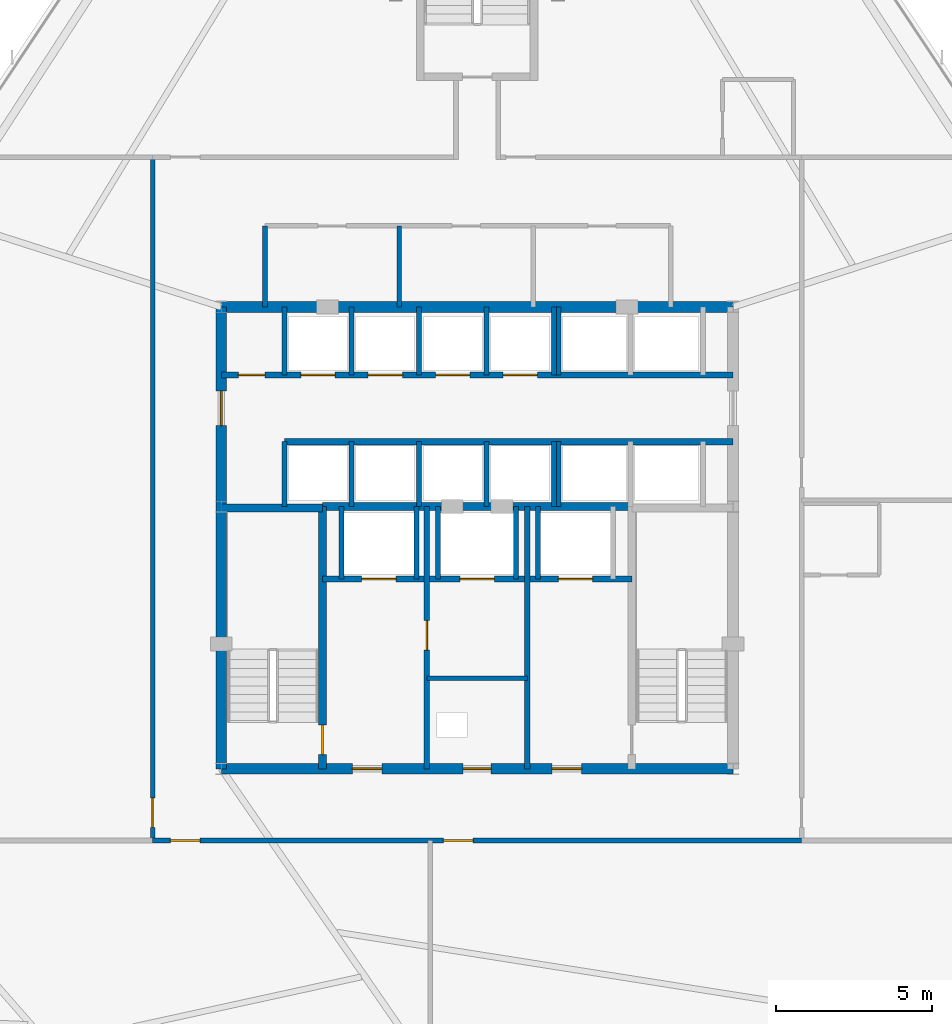
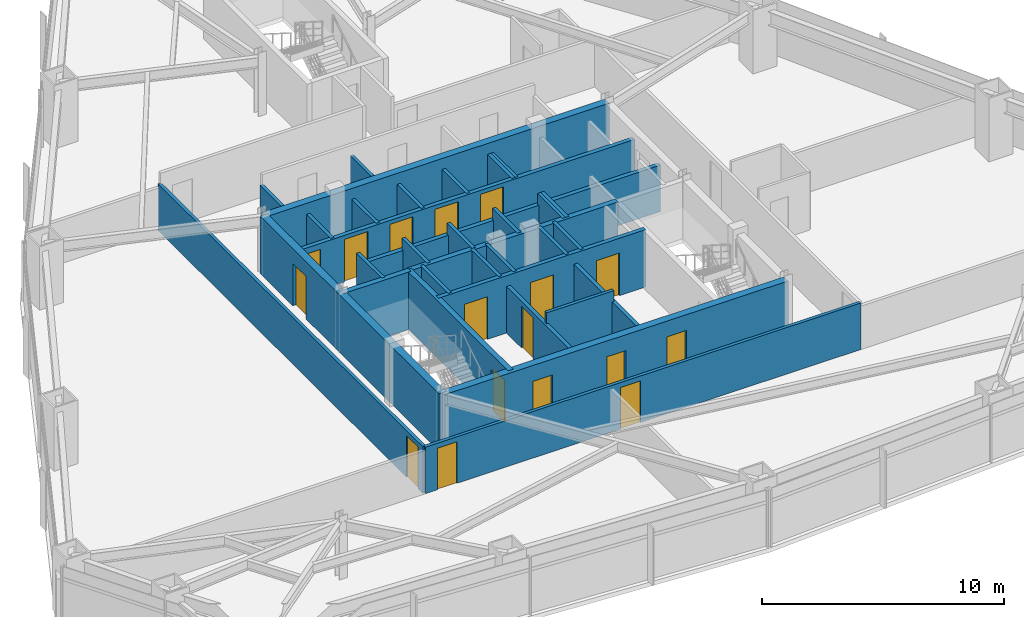
# One storey, part 9 of 12: 33 walls, 17 doors, 17 openings.
"""IFC4 building model written with IfcOpenShell, lengths in metres."""

from ifc_helpers import new_model, si_unit, direction, frame, frame_2d, origin, place, context, subcontext, project, spatial, rectangle, extrude, material, layer, layer_set, type_object, element, fill, save


model = new_model("IFC4")

# Units and contexts
model_context = context("Model", 3, precision=1e-05, world=origin(), true_north=direction((0.0, 1.0)))
body_context = subcontext(model_context, "Body", "Model", "MODEL_VIEW")
ifc_project = project(units=[si_unit("LENGTHUNIT", "METRE"), si_unit("AREAUNIT", "SQUARE_METRE"), si_unit("VOLUMEUNIT", "CUBIC_METRE"), si_unit("PLANEANGLEUNIT", "RADIAN"), si_unit("MASSUNIT", "GRAM", prefix="KILO")], contexts=[model_context])

# Site, building, storey
site_placement = place(None, origin())
site = spatial("IfcSite", under=ifc_project, at=site_placement, CompositionType="ELEMENT")
building_placement = place(site_placement, origin())
building = spatial("IfcBuilding", under=site, at=building_placement, Name="Varakhsha Concourse Tower", CompositionType="ELEMENT")
storey_placement = place(building_placement, frame((0.0, 0.0, 65.60009765625)))
storey = spatial("IfcBuildingStorey", under=building, at=storey_placement, Name="L18", CompositionType="ELEMENT", Elevation=65.60009765625)

# Wall, openings, doors
ifc_material_1 = material(Name="Concrete fc 65 MPa", Category="concrete")
ifc_layer_1 = layer(ifc_material_1, 0.35009765625, Name="WL-CORE-350")
ifc_layer_set_1 = layer_set([ifc_layer_1], Name="Concrete fc 65 MPa")
wall_type_1 = type_object("IfcWallType", Name="WL-CORE-350", PredefinedType="SHEAR", material=ifc_layer_set_1)
wall_1_placement = place(storey_placement, frame((31.800048828125, 16.39990234375, 0.0), z_axis=(0.0, 0.0, 1.0), x_axis=(1.0, 0.0, 0.0)))
wall_1 = element("IfcWall", 1, at=wall_1_placement, inside=storey, type_object=wall_type_1, Name="L18 Wall CWALL-S-L18", PredefinedType="SHEAR", context=body_context, shape_type="SweptSolid", body=[
    extrude(rectangle(XDim=16.39990234375, YDim=0.35009765625, at=frame_2d((8.199951171875, 0.0))), origin(), (0.0, 0.0, 1.0), 2.89990234375),
])
opening_1_placement = place(wall_1_placement, frame((7.75, 0.0, 0.0)))
opening_1 = element("IfcOpeningElement", 2, at=opening_1_placement, cuts=wall_1, Name="Opening DF-06", PredefinedType="OPENING", context=body_context, shape_type="SweptSolid", body=[
    extrude(rectangle(XDim=0.89990234375, YDim=2.10009765625, at=frame_2d((0.449951171875, 1.050048828125))), frame((0.0, 0.18505859375, 0.0), z_axis=(0.0, -1.0, 0.0), x_axis=(1.0, 0.0, 0.0)), (0.0, 0.0, 1.0), 0.3701171875),
])
opening_2_placement = place(wall_1_placement, frame((4.199951171875, 0.0, 0.0)))
opening_2 = element("IfcOpeningElement", 3, at=opening_2_placement, cuts=wall_1, Name="Opening DF-05", PredefinedType="OPENING", context=body_context, shape_type="SweptSolid", body=[
    extrude(rectangle(XDim=0.949951171875, YDim=2.10009765625, at=frame_2d((0.47509765625, 1.050048828125))), frame((0.0, 0.18505859375, 0.0), z_axis=(0.0, -1.0, 0.0), x_axis=(1.0, 0.0, 0.0)), (0.0, 0.0, 1.0), 0.3701171875),
])
opening_3_placement = place(wall_1_placement, frame((10.60009765625, 0.0, 0.0)))
opening_3 = element("IfcOpeningElement", 4, at=opening_3_placement, cuts=wall_1, Name="Opening DF-05", PredefinedType="OPENING", context=body_context, shape_type="SweptSolid", body=[
    extrude(rectangle(XDim=0.949951171875, YDim=2.10009765625, at=frame_2d((0.47509765625, 1.050048828125))), frame((0.0, 0.18505859375, 0.0), z_axis=(0.0, -1.0, 0.0), x_axis=(1.0, 0.0, 0.0)), (0.0, 0.0, 1.0), 0.3701171875),
])
ifc_material_2 = material(Name="Hollow Galvanised Steel Fire Door Assembly", Category="steel")
door_type_1 = type_object("IfcDoorType", Name="DR-FD60-900", OperationType="NOTDEFINED", PredefinedType="DOOR", material=ifc_material_2)
door_1_placement = place(opening_1_placement, origin())
door_1 = element("IfcDoor", 5, at=door_1_placement, inside=storey, type_object=door_type_1, Name="L18 Electrical Riser Access Door", OperationType="SINGLE_SWING_LEFT", OverallHeight=2.10009765625, OverallWidth=0.89990234375, PredefinedType="DOOR", context=body_context, shape_type="SweptSolid", body=[
    extrude(rectangle(XDim=0.89990234375, YDim=2.10009765625, at=frame_2d((0.449951171875, 1.050048828125))), frame((0.0, 0.02490234375, 0.0), z_axis=(0.0, -1.0, 0.0), x_axis=(1.0, 0.0, 0.0)), (0.0, 0.0, 1.0), 0.050048828125),
])
fill(opening_1, door_1)
door_type_2 = type_object("IfcDoorType", Name="DR-FD60-950", OperationType="NOTDEFINED", PredefinedType="DOOR", material=ifc_material_2)
door_2_placement = place(opening_2_placement, origin())
door_2 = element("IfcDoor", 6, at=door_2_placement, inside=storey, type_object=door_type_2, Name="L18 Firefighting Lobby West Door", OperationType="SINGLE_SWING_RIGHT", OverallHeight=2.10009765625, OverallWidth=0.949951171875, PredefinedType="DOOR", context=body_context, shape_type="SweptSolid", body=[
    extrude(rectangle(XDim=0.949951171875, YDim=2.10009765625, at=frame_2d((0.47509765625, 1.050048828125))), frame((0.0, 0.02490234375, 0.0), z_axis=(0.0, -1.0, 0.0), x_axis=(1.0, 0.0, 0.0)), (0.0, 0.0, 1.0), 0.050048828125),
])
fill(opening_2, door_2)
door_3_placement = place(opening_3_placement, origin())
door_3 = element("IfcDoor", 7, at=door_3_placement, inside=storey, type_object=door_type_2, Name="L18 Firefighting Lobby East Door", OperationType="SINGLE_SWING_LEFT", OverallHeight=2.10009765625, OverallWidth=0.949951171875, PredefinedType="DOOR", context=body_context, shape_type="SweptSolid", body=[
    extrude(rectangle(XDim=0.949951171875, YDim=2.10009765625, at=frame_2d((0.47509765625, 1.050048828125))), frame((0.0, 0.02490234375, 0.0), z_axis=(0.0, -1.0, 0.0), x_axis=(1.0, 0.0, 0.0)), (0.0, 0.0, 1.0), 0.050048828125),
])
fill(opening_3, door_3)

# Wall
wall_2_placement = place(storey_placement, frame((31.800048828125, 31.199951171875, 0.0), z_axis=(0.0, 0.0, 1.0), x_axis=(1.0, 0.0, 0.0)))
element("IfcWall", 8, at=wall_2_placement, inside=storey, type_object=wall_type_1, Name="L18 Wall CWALL-N-L18", PredefinedType="SHEAR", context=body_context, shape_type="SweptSolid", body=[
    extrude(rectangle(XDim=16.39990234375, YDim=0.35009765625, at=frame_2d((8.199951171875, 0.0))), origin(), (0.0, 0.0, 1.0), 2.89990234375),
])

# Wall, opening, door
wall_3_placement = place(storey_placement, frame((31.800048828125, 16.39990234375, 0.0), z_axis=(0.0, 0.0, 1.0), x_axis=(0.0, 1.0, 0.0)))
wall_3 = element("IfcWall", 9, at=wall_3_placement, inside=storey, type_object=wall_type_1, Name="L18 Wall CWALL-W-L18", PredefinedType="SHEAR", context=body_context, shape_type="SweptSolid", body=[
    extrude(rectangle(XDim=14.800048828125, YDim=0.35009765625, at=frame_2d((7.39990234375, 0.0))), origin(), (0.0, 0.0, 1.0), 2.89990234375),
])
opening_4_placement = place(wall_3_placement, frame((11.0, 0.0, 0.0)))
opening_4 = element("IfcOpeningElement", 10, at=opening_4_placement, cuts=wall_3, Name="Opening DL-01", PredefinedType="OPENING", context=body_context, shape_type="SweptSolid", body=[
    extrude(rectangle(XDim=1.10009765625, YDim=2.14990234375, at=frame_2d((0.550048828125, 1.074951171875))), frame((0.0, 0.18505859375, 0.0), z_axis=(0.0, -1.0, 0.0), x_axis=(1.0, 0.0, 0.0)), (0.0, 0.0, 1.0), 0.3701171875),
])
ifc_material_3 = material(Name="Anodised Bronze Architectural Aluminium AA 6063-T6", Category="aluminium")
door_type_3 = type_object("IfcDoorType", Name="DR-LOB-1100", OperationType="NOTDEFINED", PredefinedType="DOOR", material=ifc_material_3)
door_4_placement = place(opening_4_placement, origin())
door_4 = element("IfcDoor", 11, at=door_4_placement, inside=storey, type_object=door_type_3, Name="L18 Lift Lobby West Concourse Door", OperationType="SINGLE_SWING_LEFT", OverallHeight=2.14990234375, OverallWidth=1.10009765625, PredefinedType="DOOR", context=body_context, shape_type="SweptSolid", body=[
    extrude(rectangle(XDim=1.10009765625, YDim=2.14990234375, at=frame_2d((0.550048828125, 1.074951171875))), frame((0.0, 0.02490234375, 0.0), z_axis=(0.0, -1.0, 0.0), x_axis=(1.0, 0.0, 0.0)), (0.0, 0.0, 1.0), 0.050048828125),
])
fill(opening_4, door_4)

ifc_material_4 = material(Name="Fire-Rated Type X Gypsum Partition Assembly", Category="gypsum")
ifc_layer_2 = layer(ifc_material_4, 0.179931640625, Name="WL-FFLOB-180")
ifc_layer_set_2 = layer_set([ifc_layer_2], Name="Fire-Rated Type X Gypsum Partition Assembly")
wall_type_2 = type_object("IfcWallType", Name="WL-FFLOB-180", PredefinedType="PARTITIONING", material=ifc_layer_set_2)
wall_4_placement = place(storey_placement, frame((38.389892578125, 16.39990234375, 0.0), z_axis=(0.0, 0.0, 1.0), x_axis=(0.0, 1.0, 0.0)))
wall_4 = element("IfcWall", 12, at=wall_4_placement, inside=storey, type_object=wall_type_2, Name="L18 Wall FFW-1E-L18", PredefinedType="PARTITIONING", context=body_context, shape_type="SweptSolid", body=[
    extrude(rectangle(XDim=8.400146484375, YDim=0.179931640625, at=frame_2d((4.2001953125, 0.0))), origin(), (0.0, 0.0, 1.0), 2.350830078125),
])
opening_5_placement = place(wall_4_placement, frame((3.800048828125, 0.0, 0.0)))
opening_5 = element("IfcOpeningElement", 13, at=opening_5_placement, cuts=wall_4, Name="Opening DF-05", PredefinedType="OPENING", context=body_context, shape_type="SweptSolid", body=[
    extrude(rectangle(XDim=0.949951171875, YDim=2.10009765625, at=frame_2d((0.47509765625, 1.050048828125))), frame((0.0, 0.099853515625, 0.0), z_axis=(0.0, -1.0, 0.0), x_axis=(1.0, 0.0, 0.0)), (0.0, 0.0, 1.0), 0.199951171875),
])
door_5_placement = place(opening_5_placement, origin())
door_5 = element("IfcDoor", 14, at=door_5_placement, inside=storey, type_object=door_type_2, Name="L18 Service Vestibule Door", OperationType="SINGLE_SWING_RIGHT", OverallHeight=2.10009765625, OverallWidth=0.949951171875, PredefinedType="DOOR", context=body_context, shape_type="SweptSolid", body=[
    extrude(rectangle(XDim=0.949951171875, YDim=2.10009765625, at=frame_2d((0.47509765625, 1.050048828125))), frame((0.0, 0.02490234375, 0.0), z_axis=(0.0, -1.0, 0.0), x_axis=(1.0, 0.0, 0.0)), (0.0, 0.0, 1.0), 0.050048828125),
])
fill(opening_5, door_5)

# Walls
wall_5_placement = place(storey_placement, frame((41.610107421875, 16.39990234375, 0.0), z_axis=(0.0, 0.0, 1.0), x_axis=(0.0, 1.0, 0.0)))
element("IfcWall", 15, at=wall_5_placement, inside=storey, type_object=wall_type_2, Name="L18 Wall FFW-2W-L18", PredefinedType="PARTITIONING", context=body_context, shape_type="SweptSolid", body=[
    extrude(rectangle(XDim=8.400146484375, YDim=0.179931640625, at=frame_2d((4.2001953125, 0.0))), origin(), (0.0, 0.0, 1.0), 2.350830078125),
])
ifc_layer_3 = layer(ifc_material_4, 0.14990234375, Name="WL-PART-150")
ifc_layer_set_3 = layer_set([ifc_layer_3], Name="Fire-Rated Type X Gypsum Partition Assembly")
wall_type_3 = type_object("IfcWallType", Name="WL-PART-150", PredefinedType="PARTITIONING", material=ifc_layer_set_3)
wall_6_placement = place(storey_placement, frame((38.389892578125, 19.300048828125, 0.0), z_axis=(0.0, 0.0, 1.0), x_axis=(1.0, 0.0, 0.0)))
element("IfcWall", 16, at=wall_6_placement, inside=storey, type_object=wall_type_3, Name="L18 Wall RSW-H-L18", PredefinedType="PARTITIONING", context=body_context, shape_type="SweptSolid", body=[
    extrude(rectangle(XDim=3.22021484375, YDim=0.14990234375, at=frame_2d((1.610107421875, 0.0))), origin(), (0.0, 0.0, 1.0), 2.89990234375),
])
for number, where, z_axis, x_axis, name in (
    (17, (33.199951171875, 31.199951171875, 0.0), (0.0, 0.0, 1.0), (0.0, 1.0, 0.0), "L18 Wall NBOH-W-L18"),
    (18, (37.5, 31.199951171875, 0.0), (0.0, 0.0, 1.0), (0.0, 1.0, 0.0), "L18 Wall NBOH-D1-L18"),
):
    element("IfcWall", number, at=place(storey_placement, frame(where, z_axis=z_axis, x_axis=x_axis)), inside=storey, type_object=wall_type_3, Name=name, PredefinedType="PARTITIONING", context=body_context, shape_type="SweptSolid", body=[
        extrude(rectangle(XDim=2.60009765625, YDim=0.14990234375, at=frame_2d((1.300048828125, 0.0))), origin(), (0.0, 0.0, 1.0), 2.350830078125),
    ])

# Wall, openings, doors
wall_7_placement = place(storey_placement, frame((29.60009765625, 14.10009765625, 0.0), z_axis=(0.0, 0.0, 1.0), x_axis=(1.0, 0.0, 0.0)))
wall_7 = element("IfcWall", 19, at=wall_7_placement, inside=storey, type_object=wall_type_3, Name="L18 Wall CRW-S-L18", PredefinedType="PARTITIONING", context=body_context, shape_type="SweptSolid", body=[
    extrude(rectangle(XDim=20.7998046875, YDim=0.14990234375, at=frame_2d((10.39990234375, 0.0))), origin(), (0.0, 0.0, 1.0), 2.350830078125),
])
opening_6_placement = place(wall_7_placement, frame((0.570068359375, 0.0, 0.0)))
opening_6 = element("IfcOpeningElement", 20, at=opening_6_placement, cuts=wall_7, Name="Opening DF-05", PredefinedType="OPENING", context=body_context, shape_type="SweptSolid", body=[
    extrude(rectangle(XDim=0.949951171875, YDim=2.10009765625, at=frame_2d((0.47509765625, 1.050048828125))), frame((0.0, 0.0849609375, 0.0), z_axis=(0.0, -1.0, 0.0), x_axis=(1.0, 0.0, 0.0)), (0.0, 0.0, 1.0), 0.169921875),
])
opening_7_placement = place(wall_7_placement, frame((9.320068359375, 0.0, 0.0)))
opening_7 = element("IfcOpeningElement", 21, at=opening_7_placement, cuts=wall_7, Name="Opening DF-05", PredefinedType="OPENING", context=body_context, shape_type="SweptSolid", body=[
    extrude(rectangle(XDim=0.949951171875, YDim=2.10009765625, at=frame_2d((0.47509765625, 1.050048828125))), frame((0.0, 0.0849609375, 0.0), z_axis=(0.0, -1.0, 0.0), x_axis=(1.0, 0.0, 0.0)), (0.0, 0.0, 1.0), 0.169921875),
])
door_6_placement = place(opening_6_placement, origin())
door_6 = element("IfcDoor", 22, at=door_6_placement, inside=storey, type_object=door_type_2, Name="L18 Hotel Executive Salon L18-H01 Door", OperationType="SINGLE_SWING_LEFT", OverallHeight=2.10009765625, OverallWidth=0.949951171875, PredefinedType="DOOR", context=body_context, shape_type="SweptSolid", body=[
    extrude(rectangle(XDim=0.949951171875, YDim=2.10009765625, at=frame_2d((0.47509765625, 1.050048828125))), frame((0.0, 0.02490234375, 0.0), z_axis=(0.0, -1.0, 0.0), x_axis=(1.0, 0.0, 0.0)), (0.0, 0.0, 1.0), 0.050048828125),
])
fill(opening_6, door_6)
door_7_placement = place(opening_7_placement, origin())
door_7 = element("IfcDoor", 23, at=door_7_placement, inside=storey, type_object=door_type_2, Name="L18 Diplomatic Conservatory Salon L18-H02 Door", OperationType="SINGLE_SWING_RIGHT", OverallHeight=2.10009765625, OverallWidth=0.949951171875, PredefinedType="DOOR", context=body_context, shape_type="SweptSolid", body=[
    extrude(rectangle(XDim=0.949951171875, YDim=2.10009765625, at=frame_2d((0.47509765625, 1.050048828125))), frame((0.0, 0.02490234375, 0.0), z_axis=(0.0, -1.0, 0.0), x_axis=(1.0, 0.0, 0.0)), (0.0, 0.0, 1.0), 0.050048828125),
])
fill(opening_7, door_7)

# Wall, opening, door
wall_8_placement = place(storey_placement, frame((29.60009765625, 14.10009765625, 0.0), z_axis=(0.0, 0.0, 1.0), x_axis=(0.0, 1.0, 0.0)))
wall_8 = element("IfcWall", 24, at=wall_8_placement, inside=storey, type_object=wall_type_3, Name="L18 Wall CRW-W-L18", PredefinedType="PARTITIONING", context=body_context, shape_type="SweptSolid", body=[
    extrude(rectangle(XDim=21.89990234375, YDim=0.14990234375, at=frame_2d((10.949951171875, 0.0))), origin(), (0.0, 0.0, 1.0), 2.350830078125),
])
opening_8_placement = place(wall_8_placement, frame((0.419921875, 0.0, 0.0)))
opening_8 = element("IfcOpeningElement", 25, at=opening_8_placement, cuts=wall_8, Name="Opening DF-05", PredefinedType="OPENING", context=body_context, shape_type="SweptSolid", body=[
    extrude(rectangle(XDim=0.949951171875, YDim=2.10009765625, at=frame_2d((0.47509765625, 1.050048828125))), frame((0.0, 0.0849609375, 0.0), z_axis=(0.0, -1.0, 0.0), x_axis=(1.0, 0.0, 0.0)), (0.0, 0.0, 1.0), 0.169921875),
])
door_8_placement = place(opening_8_placement, origin())
door_8 = element("IfcDoor", 26, at=door_8_placement, inside=storey, type_object=door_type_2, Name="L18 Diplomatic Conservatory Salon L18-H03 Door", OperationType="SINGLE_SWING_LEFT", OverallHeight=2.10009765625, OverallWidth=0.949951171875, PredefinedType="DOOR", context=body_context, shape_type="SweptSolid", body=[
    extrude(rectangle(XDim=0.949951171875, YDim=2.10009765625, at=frame_2d((0.47509765625, 1.050048828125))), frame((0.0, 0.02490234375, 0.0), z_axis=(0.0, -1.0, 0.0), x_axis=(1.0, 0.0, 0.0)), (0.0, 0.0, 1.0), 0.050048828125),
])
fill(opening_8, door_8)

# Wall, openings, doors
ifc_layer_4 = layer(ifc_material_4, 0.199951171875, Name="WL-SHAFT-220")
ifc_layer_set_4 = layer_set([ifc_layer_4], Name="Fire-Rated Type X Gypsum Partition Assembly")
wall_type_4 = type_object("IfcWallType", Name="WL-SHAFT-220", PredefinedType="SOLIDWALL", material=ifc_layer_set_4)
wall_9_placement = place(storey_placement, frame((35.044921875, 22.47998046875, 0.0), z_axis=(0.0, 0.0, 1.0), x_axis=(1.0, 0.0, 0.0)))
wall_9 = element("IfcWall", 27, at=wall_9_placement, inside=storey, type_object=wall_type_4, Name="L18 Wall FFW-NH-L18", PredefinedType="SOLIDWALL", context=body_context, shape_type="SweptSolid", body=[
    extrude(rectangle(XDim=9.91015625, YDim=0.199951171875, at=frame_2d((4.955078125, 0.0))), origin(), (0.0, 0.0, 1.0), 2.89990234375),
])
opening_9_placement = place(wall_9_placement, frame((1.2548828125, 0.0, 0.0)))
opening_9 = element("IfcOpeningElement", 28, at=opening_9_placement, cuts=wall_9, Name="Opening LD-FFL-1", PredefinedType="OPENING", context=body_context, shape_type="SweptSolid", body=[
    extrude(rectangle(XDim=1.10009765625, YDim=2.14990234375, at=frame_2d((0.550048828125, 1.074951171875))), frame((0.0, 0.10986328125, 0.0), z_axis=(0.0, -1.0, 0.0), x_axis=(1.0, 0.0, 0.0)), (0.0, 0.0, 1.0), 0.219970703125),
])
opening_10_placement = place(wall_9_placement, frame((7.554931640625, 0.0, 0.0)))
opening_10 = element("IfcOpeningElement", 29, at=opening_10_placement, cuts=wall_9, Name="Opening LD-FFL-2", PredefinedType="OPENING", context=body_context, shape_type="SweptSolid", body=[
    extrude(rectangle(XDim=1.10009765625, YDim=2.14990234375, at=frame_2d((0.550048828125, 1.074951171875))), frame((0.0, 0.10986328125, 0.0), z_axis=(0.0, -1.0, 0.0), x_axis=(1.0, 0.0, 0.0)), (0.0, 0.0, 1.0), 0.219970703125),
])
opening_11_placement = place(wall_9_placement, frame((4.405029296875, 0.0, 0.0)))
opening_11 = element("IfcOpeningElement", 30, at=opening_11_placement, cuts=wall_9, Name="Opening LD-SVL-1", PredefinedType="OPENING", context=body_context, shape_type="SweptSolid", body=[
    extrude(rectangle(XDim=1.10009765625, YDim=2.14990234375, at=frame_2d((0.550048828125, 1.074951171875))), frame((0.0, 0.10986328125, 0.0), z_axis=(0.0, -1.0, 0.0), x_axis=(1.0, 0.0, 0.0)), (0.0, 0.0, 1.0), 0.219970703125),
])
ifc_material_5 = material(Name="Brushed Austenitic Stainless Steel AISI 316", Category="steel")
door_type_4 = type_object("IfcDoorType", Name="DR-LD-1100", OperationType="DOUBLE_DOOR_SLIDING", PredefinedType="DOOR", material=ifc_material_5)
door_9_placement = place(opening_9_placement, origin())
door_9 = element("IfcDoor", 31, at=door_9_placement, inside=storey, type_object=door_type_4, Name="Lift Landing Door FFL-1 L18", OperationType="DOUBLE_DOOR_SLIDING", OverallHeight=2.14990234375, OverallWidth=1.10009765625, PredefinedType="DOOR", context=body_context, shape_type="SweptSolid", body=[
    extrude(rectangle(XDim=1.10009765625, YDim=2.14990234375, at=frame_2d((0.550048828125, 1.074951171875))), frame((0.0, 0.02490234375, 0.0), z_axis=(0.0, -1.0, 0.0), x_axis=(1.0, 0.0, 0.0)), (0.0, 0.0, 1.0), 0.050048828125),
])
fill(opening_9, door_9)
door_10_placement = place(opening_10_placement, origin())
door_10 = element("IfcDoor", 32, at=door_10_placement, inside=storey, type_object=door_type_4, Name="Lift Landing Door FFL-2 L18", OperationType="DOUBLE_DOOR_SLIDING", OverallHeight=2.14990234375, OverallWidth=1.10009765625, PredefinedType="DOOR", context=body_context, shape_type="SweptSolid", body=[
    extrude(rectangle(XDim=1.10009765625, YDim=2.14990234375, at=frame_2d((0.550048828125, 1.074951171875))), frame((0.0, 0.02490234375, 0.0), z_axis=(0.0, -1.0, 0.0), x_axis=(1.0, 0.0, 0.0)), (0.0, 0.0, 1.0), 0.050048828125),
])
fill(opening_10, door_10)
door_11_placement = place(opening_11_placement, origin())
door_11 = element("IfcDoor", 33, at=door_11_placement, inside=storey, type_object=door_type_4, Name="Lift Landing Door SVL-1 L18", OperationType="DOUBLE_DOOR_SLIDING", OverallHeight=2.14990234375, OverallWidth=1.10009765625, PredefinedType="DOOR", context=body_context, shape_type="SweptSolid", body=[
    extrude(rectangle(XDim=1.10009765625, YDim=2.14990234375, at=frame_2d((0.550048828125, 1.074951171875))), frame((0.0, 0.02490234375, 0.0), z_axis=(0.0, -1.0, 0.0), x_axis=(1.0, 0.0, 0.0)), (0.0, 0.0, 1.0), 0.050048828125),
])
fill(opening_11, door_11)

# Walls
for number, where, z_axis, x_axis, name in (
    (34, (35.64990234375, 22.47998046875, 0.0), (0.0, 0.0, 1.0), (0.0, 1.0, 0.0), "L18 Wall SHW-FFL-1-W-L18"),
    (35, (38.050048828125, 22.47998046875, 0.0), (0.0, 0.0, 1.0), (0.0, 1.0, 0.0), "L18 Wall SHW-FFL-1-E-L18"),
    (36, (41.949951171875, 22.47998046875, 0.0), (0.0, 0.0, 1.0), (0.0, 1.0, 0.0), "L18 Wall SHW-FFL-2-W-L18"),
    (37, (38.75, 22.47998046875, 0.0), (0.0, 0.0, 1.0), (0.0, 1.0, 0.0), "L18 Wall SHW-SVL-1-W-L18"),
    (38, (41.25, 22.47998046875, 0.0), (0.0, 0.0, 1.0), (0.0, 1.0, 0.0), "L18 Wall SHW-SVL-1-E-L18"),
):
    element("IfcWall", number, at=place(storey_placement, frame(where, z_axis=z_axis, x_axis=x_axis)), inside=storey, type_object=wall_type_4, Name=name, PredefinedType="SOLIDWALL", context=body_context, shape_type="SweptSolid", body=[
        extrude(rectangle(XDim=2.320068359375, YDim=0.159912109375, at=frame_2d((1.16015625, 0.0))), origin(), (0.0, 0.0, 1.0), 2.89990234375),
    ])

# Wall, openings, doors
wall_10_placement = place(storey_placement, frame((31.800048828125, 29.02001953125, 0.0), z_axis=(0.0, 0.0, 1.0), x_axis=(1.0, 0.0, 0.0)))
wall_10 = element("IfcWall", 39, at=wall_10_placement, inside=storey, type_object=wall_type_4, Name="L18 Wall PLW-N-L18", PredefinedType="SOLIDWALL", context=body_context, shape_type="SweptSolid", body=[
    extrude(rectangle(XDim=16.39990234375, YDim=0.199951171875, at=frame_2d((8.199951171875, 0.0))), origin(), (0.0, 0.0, 1.0), 2.350830078125),
])
opening_12_placement = place(wall_10_placement, frame((0.550048828125, 0.0, 0.0)))
opening_12 = element("IfcOpeningElement", 40, at=opening_12_placement, cuts=wall_10, Name="Opening DF-07", PredefinedType="OPENING", context=body_context, shape_type="SweptSolid", body=[
    extrude(rectangle(XDim=0.85009765625, YDim=2.050048828125, at=frame_2d((0.425048828125, 1.02490234375))), frame((0.0, 0.10986328125, 0.0), z_axis=(0.0, -1.0, 0.0), x_axis=(1.0, 0.0, 0.0)), (0.0, 0.0, 1.0), 0.219970703125),
])
opening_13_placement = place(wall_10_placement, frame((2.550048828125, 0.0, 0.0)))
opening_13 = element("IfcOpeningElement", 41, at=opening_13_placement, cuts=wall_10, Name="Opening LD-LF-P01", PredefinedType="OPENING", context=body_context, shape_type="SweptSolid", body=[
    extrude(rectangle(XDim=1.10009765625, YDim=2.14990234375, at=frame_2d((0.550048828125, 1.074951171875))), frame((0.0, 0.10986328125, 0.0), z_axis=(0.0, -1.0, 0.0), x_axis=(1.0, 0.0, 0.0)), (0.0, 0.0, 1.0), 0.219970703125),
])
opening_14_placement = place(wall_10_placement, frame((4.7099609375, 0.0, 0.0)))
opening_14 = element("IfcOpeningElement", 42, at=opening_14_placement, cuts=wall_10, Name="Opening LD-LF-P02", PredefinedType="OPENING", context=body_context, shape_type="SweptSolid", body=[
    extrude(rectangle(XDim=1.10009765625, YDim=2.14990234375, at=frame_2d((0.550048828125, 1.074951171875))), frame((0.0, 0.10986328125, 0.0), z_axis=(0.0, -1.0, 0.0), x_axis=(1.0, 0.0, 0.0)), (0.0, 0.0, 1.0), 0.219970703125),
])
opening_15_placement = place(wall_10_placement, frame((6.8701171875, 0.0, 0.0)))
opening_15 = element("IfcOpeningElement", 43, at=opening_15_placement, cuts=wall_10, Name="Opening LD-LF-P03", PredefinedType="OPENING", context=body_context, shape_type="SweptSolid", body=[
    extrude(rectangle(XDim=1.10009765625, YDim=2.14990234375, at=frame_2d((0.550048828125, 1.074951171875))), frame((0.0, 0.10986328125, 0.0), z_axis=(0.0, -1.0, 0.0), x_axis=(1.0, 0.0, 0.0)), (0.0, 0.0, 1.0), 0.219970703125),
])
opening_16_placement = place(wall_10_placement, frame((9.030029296875, 0.0, 0.0)))
opening_16 = element("IfcOpeningElement", 44, at=opening_16_placement, cuts=wall_10, Name="Opening LD-LF-P04", PredefinedType="OPENING", context=body_context, shape_type="SweptSolid", body=[
    extrude(rectangle(XDim=1.10009765625, YDim=2.14990234375, at=frame_2d((0.550048828125, 1.074951171875))), frame((0.0, 0.10986328125, 0.0), z_axis=(0.0, -1.0, 0.0), x_axis=(1.0, 0.0, 0.0)), (0.0, 0.0, 1.0), 0.219970703125),
])
door_type_5 = type_object("IfcDoorType", Name="DR-FD60-850", OperationType="NOTDEFINED", PredefinedType="DOOR", material=ifc_material_2)
door_12_placement = place(opening_12_placement, origin())
door_12 = element("IfcDoor", 45, at=door_12_placement, inside=storey, type_object=door_type_5, Name="L18 Core Janitor Closet Door", OperationType="SINGLE_SWING_LEFT", OverallHeight=2.050048828125, OverallWidth=0.85009765625, PredefinedType="DOOR", context=body_context, shape_type="SweptSolid", body=[
    extrude(rectangle(XDim=0.85009765625, YDim=2.050048828125, at=frame_2d((0.425048828125, 1.02490234375))), frame((0.0, 0.02490234375, 0.0), z_axis=(0.0, -1.0, 0.0), x_axis=(1.0, 0.0, 0.0)), (0.0, 0.0, 1.0), 0.050048828125),
])
fill(opening_12, door_12)
door_13_placement = place(opening_13_placement, origin())
door_13 = element("IfcDoor", 46, at=door_13_placement, inside=storey, type_object=door_type_4, Name="Lift Landing Door LF-P01 L18", OperationType="DOUBLE_DOOR_SLIDING", OverallHeight=2.14990234375, OverallWidth=1.10009765625, PredefinedType="DOOR", context=body_context, shape_type="SweptSolid", body=[
    extrude(rectangle(XDim=1.10009765625, YDim=2.14990234375, at=frame_2d((0.550048828125, 1.074951171875))), frame((0.0, 0.02490234375, 0.0), z_axis=(0.0, -1.0, 0.0), x_axis=(1.0, 0.0, 0.0)), (0.0, 0.0, 1.0), 0.050048828125),
])
fill(opening_13, door_13)
door_14_placement = place(opening_14_placement, origin())
door_14 = element("IfcDoor", 47, at=door_14_placement, inside=storey, type_object=door_type_4, Name="Lift Landing Door LF-P02 L18", OperationType="DOUBLE_DOOR_SLIDING", OverallHeight=2.14990234375, OverallWidth=1.10009765625, PredefinedType="DOOR", context=body_context, shape_type="SweptSolid", body=[
    extrude(rectangle(XDim=1.10009765625, YDim=2.14990234375, at=frame_2d((0.550048828125, 1.074951171875))), frame((0.0, 0.02490234375, 0.0), z_axis=(0.0, -1.0, 0.0), x_axis=(1.0, 0.0, 0.0)), (0.0, 0.0, 1.0), 0.050048828125),
])
fill(opening_14, door_14)
door_15_placement = place(opening_15_placement, origin())
door_15 = element("IfcDoor", 48, at=door_15_placement, inside=storey, type_object=door_type_4, Name="Lift Landing Door LF-P03 L18", OperationType="DOUBLE_DOOR_SLIDING", OverallHeight=2.14990234375, OverallWidth=1.10009765625, PredefinedType="DOOR", context=body_context, shape_type="SweptSolid", body=[
    extrude(rectangle(XDim=1.10009765625, YDim=2.14990234375, at=frame_2d((0.550048828125, 1.074951171875))), frame((0.0, 0.02490234375, 0.0), z_axis=(0.0, -1.0, 0.0), x_axis=(1.0, 0.0, 0.0)), (0.0, 0.0, 1.0), 0.050048828125),
])
fill(opening_15, door_15)
door_16_placement = place(opening_16_placement, origin())
door_16 = element("IfcDoor", 49, at=door_16_placement, inside=storey, type_object=door_type_4, Name="Lift Landing Door LF-P04 L18", OperationType="DOUBLE_DOOR_SLIDING", OverallHeight=2.14990234375, OverallWidth=1.10009765625, PredefinedType="DOOR", context=body_context, shape_type="SweptSolid", body=[
    extrude(rectangle(XDim=1.10009765625, YDim=2.14990234375, at=frame_2d((0.550048828125, 1.074951171875))), frame((0.0, 0.02490234375, 0.0), z_axis=(0.0, -1.0, 0.0), x_axis=(1.0, 0.0, 0.0)), (0.0, 0.0, 1.0), 0.050048828125),
])
fill(opening_16, door_16)

# Walls
wall_11_placement = place(storey_placement, frame((33.820068359375, 26.8798828125, 0.0), z_axis=(0.0, 0.0, 1.0), x_axis=(1.0, 0.0, 0.0)))
element("IfcWall", 50, at=wall_11_placement, inside=storey, type_object=wall_type_4, Name="L18 Wall PLW-S-L18", PredefinedType="SOLIDWALL", context=body_context, shape_type="SweptSolid", body=[
    extrude(rectangle(XDim=14.3798828125, YDim=0.199951171875, at=frame_2d((7.18994140625, 0.0))), origin(), (0.0, 0.0, 1.0), 2.350830078125),
])
wall_12_placement = place(storey_placement, frame((33.820068359375, 29.02001953125, 0.0), z_axis=(0.0, 0.0, 1.0), x_axis=(0.0, 1.0, 0.0)))
element("IfcWall", 51, at=wall_12_placement, inside=storey, type_object=wall_type_4, Name="L18 Wall WBOH-E1-L18", PredefinedType="SOLIDWALL", context=body_context, shape_type="SweptSolid", body=[
    extrude(rectangle(XDim=2.179931640625, YDim=0.159912109375, at=frame_2d((1.08984375, 0.0))), origin(), (0.0, 0.0, 1.0), 2.350830078125),
])
wall_13_placement = place(storey_placement, frame((33.820068359375, 24.800048828125, 0.0), z_axis=(0.0, 0.0, 1.0), x_axis=(0.0, 1.0, 0.0)))
element("IfcWall", 52, at=wall_13_placement, inside=storey, type_object=wall_type_4, Name="L18 Wall WBOH-E2-L18", PredefinedType="SOLIDWALL", context=body_context, shape_type="SweptSolid", body=[
    extrude(rectangle(XDim=2.079833984375, YDim=0.159912109375, at=frame_2d((1.0400390625, 0.0))), origin(), (0.0, 0.0, 1.0), 2.89990234375),
])
for number, where, z_axis, x_axis, name in (
    (53, (35.97998046875, 29.02001953125, 0.0), (0.0, 0.0, 1.0), (0.0, 1.0, 0.0), "L18 Wall SHW-LF-P01-E-L18"),
    (54, (38.139892578125, 29.02001953125, 0.0), (0.0, 0.0, 1.0), (0.0, 1.0, 0.0), "L18 Wall SHW-LF-P02-E-L18"),
    (55, (40.300048828125, 29.02001953125, 0.0), (0.0, 0.0, 1.0), (0.0, 1.0, 0.0), "L18 Wall SHW-LF-P03-E-L18"),
    (56, (42.4599609375, 29.02001953125, 0.0), (0.0, 0.0, 1.0), (0.0, 1.0, 0.0), "L18 Wall SHW-LF-P04-E-L18"),
):
    element("IfcWall", number, at=place(storey_placement, frame(where, z_axis=z_axis, x_axis=x_axis)), inside=storey, type_object=wall_type_4, Name=name, PredefinedType="SOLIDWALL", context=body_context, shape_type="SweptSolid", body=[
        extrude(rectangle(XDim=2.179931640625, YDim=0.159912109375, at=frame_2d((1.08984375, 0.0))), origin(), (0.0, 0.0, 1.0), 2.350830078125),
    ])
for number, where, z_axis, x_axis, name in (
    (57, (35.97998046875, 24.800048828125, 0.0), (0.0, 0.0, 1.0), (0.0, 1.0, 0.0), "L18 Wall SHW-LF-P05-E-L18"),
    (58, (38.139892578125, 24.800048828125, 0.0), (0.0, 0.0, 1.0), (0.0, 1.0, 0.0), "L18 Wall SHW-LF-P06-E-L18"),
    (59, (40.300048828125, 24.800048828125, 0.0), (0.0, 0.0, 1.0), (0.0, 1.0, 0.0), "L18 Wall SHW-LF-P07-E-L18"),
    (60, (42.4599609375, 24.800048828125, 0.0), (0.0, 0.0, 1.0), (0.0, 1.0, 0.0), "L18 Wall SHW-LF-P08-E-L18"),
):
    element("IfcWall", number, at=place(storey_placement, frame(where, z_axis=z_axis, x_axis=x_axis)), inside=storey, type_object=wall_type_4, Name=name, PredefinedType="SOLIDWALL", context=body_context, shape_type="SweptSolid", body=[
        extrude(rectangle(XDim=2.079833984375, YDim=0.159912109375, at=frame_2d((1.0400390625, 0.0))), origin(), (0.0, 0.0, 1.0), 2.89990234375),
    ])
wall_14_placement = place(storey_placement, frame((42.60009765625, 29.02001953125, 0.0), z_axis=(0.0, 0.0, 1.0), x_axis=(0.0, 1.0, 0.0)))
element("IfcWall", 61, at=wall_14_placement, inside=storey, type_object=wall_type_4, Name="L18 Wall SHW-LF-P09-W-L18", PredefinedType="SOLIDWALL", context=body_context, shape_type="SweptSolid", body=[
    extrude(rectangle(XDim=2.179931640625, YDim=0.159912109375, at=frame_2d((1.08984375, 0.0))), origin(), (0.0, 0.0, 1.0), 2.350830078125),
])
wall_15_placement = place(storey_placement, frame((42.60009765625, 24.800048828125, 0.0), z_axis=(0.0, 0.0, 1.0), x_axis=(0.0, 1.0, 0.0)))
element("IfcWall", 62, at=wall_15_placement, inside=storey, type_object=wall_type_4, Name="L18 Wall SHW-LF-P11-W-L18", PredefinedType="SOLIDWALL", context=body_context, shape_type="SweptSolid", body=[
    extrude(rectangle(XDim=2.079833984375, YDim=0.159912109375, at=frame_2d((1.0400390625, 0.0))), origin(), (0.0, 0.0, 1.0), 2.89990234375),
])

# Wall, opening, door
ifc_material_6 = material(Name="Concrete fc 45 MPa", Category="concrete")
ifc_layer_5 = layer(ifc_material_6, 0.25, Name="WL-STAIR-250")
ifc_layer_set_5 = layer_set([ifc_layer_5], Name="Concrete fc 45 MPa")
wall_type_5 = type_object("IfcWallType", Name="WL-STAIR-250", PredefinedType="SHEAR", material=ifc_layer_set_5)
wall_16_placement = place(storey_placement, frame((35.044921875, 16.39990234375, 0.0), z_axis=(0.0, 0.0, 1.0), x_axis=(0.0, 1.0, 0.0)))
wall_16 = element("IfcWall", 63, at=wall_16_placement, inside=storey, type_object=wall_type_5, Name="L18 Wall SWALL-ST1-E-L18", PredefinedType="SHEAR", context=body_context, shape_type="SweptSolid", body=[
    extrude(rectangle(XDim=8.400146484375, YDim=0.25, at=frame_2d((4.2001953125, 0.0))), origin(), (0.0, 0.0, 1.0), 2.89990234375),
])
opening_17_placement = place(wall_16_placement, frame((0.449951171875, 0.0, 0.0)))
opening_17 = element("IfcOpeningElement", 64, at=opening_17_placement, cuts=wall_16, Name="Opening DF-03", PredefinedType="OPENING", context=body_context, shape_type="SweptSolid", body=[
    extrude(rectangle(XDim=0.949951171875, YDim=2.10009765625, at=frame_2d((0.47509765625, 1.050048828125))), frame((0.0, 0.135009765625, 0.0), z_axis=(0.0, -1.0, 0.0), x_axis=(1.0, 0.0, 0.0)), (0.0, 0.0, 1.0), 0.27001953125),
])
door_type_6 = type_object("IfcDoorType", Name="DR-FD90-950", OperationType="NOTDEFINED", PredefinedType="DOOR", material=ifc_material_2)
door_17_placement = place(opening_17_placement, origin())
door_17 = element("IfcDoor", 65, at=door_17_placement, inside=storey, type_object=door_type_6, Name="L18 Stair ST1 Fire Door", OperationType="SINGLE_SWING_LEFT", OverallHeight=2.10009765625, OverallWidth=0.949951171875, PredefinedType="DOOR", context=body_context, shape_type="SweptSolid", body=[
    extrude(rectangle(XDim=0.949951171875, YDim=2.10009765625, at=frame_2d((0.47509765625, 1.050048828125))), frame((0.0, 0.02490234375, 0.0), z_axis=(0.0, -1.0, 0.0), x_axis=(1.0, 0.0, 0.0)), (0.0, 0.0, 1.0), 0.050048828125),
])
fill(opening_17, door_17)

# Walls
wall_17_placement = place(storey_placement, frame((31.800048828125, 24.7548828125, 0.0), z_axis=(0.0, 0.0, 1.0), x_axis=(1.0, 0.0, 0.0)))
element("IfcWall", 66, at=wall_17_placement, inside=storey, type_object=wall_type_5, Name="L18 Wall SWALL-ST1-N-L18", PredefinedType="SHEAR", context=body_context, shape_type="SweptSolid", body=[
    extrude(rectangle(XDim=3.244873046875, YDim=0.25, at=frame_2d((1.62255859375, 0.0))), origin(), (0.0, 0.0, 1.0), 2.89990234375),
])
wall_18_placement = place(storey_placement, frame((35.044921875, 24.800048828125, 0.0), z_axis=(0.0, 0.0, 1.0), x_axis=(1.0, 0.0, 0.0)))
element("IfcWall", 67, at=wall_18_placement, inside=storey, type_object=wall_type_5, Name="L18 Wall SWALL-MID-H-L18", PredefinedType="SHEAR", context=body_context, shape_type="SweptSolid", body=[
    extrude(rectangle(XDim=9.91015625, YDim=0.25, at=frame_2d((4.955078125, 0.0))), origin(), (0.0, 0.0, 1.0), 2.89990234375),
])

save(model, "model.ifc")
